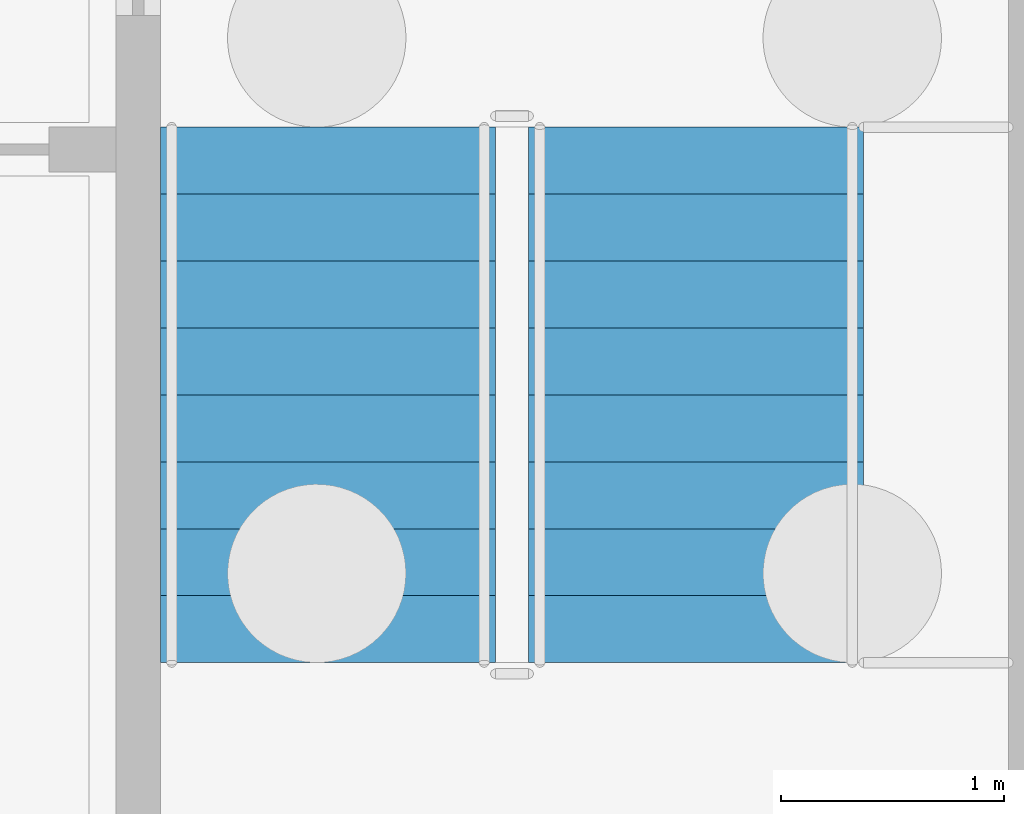
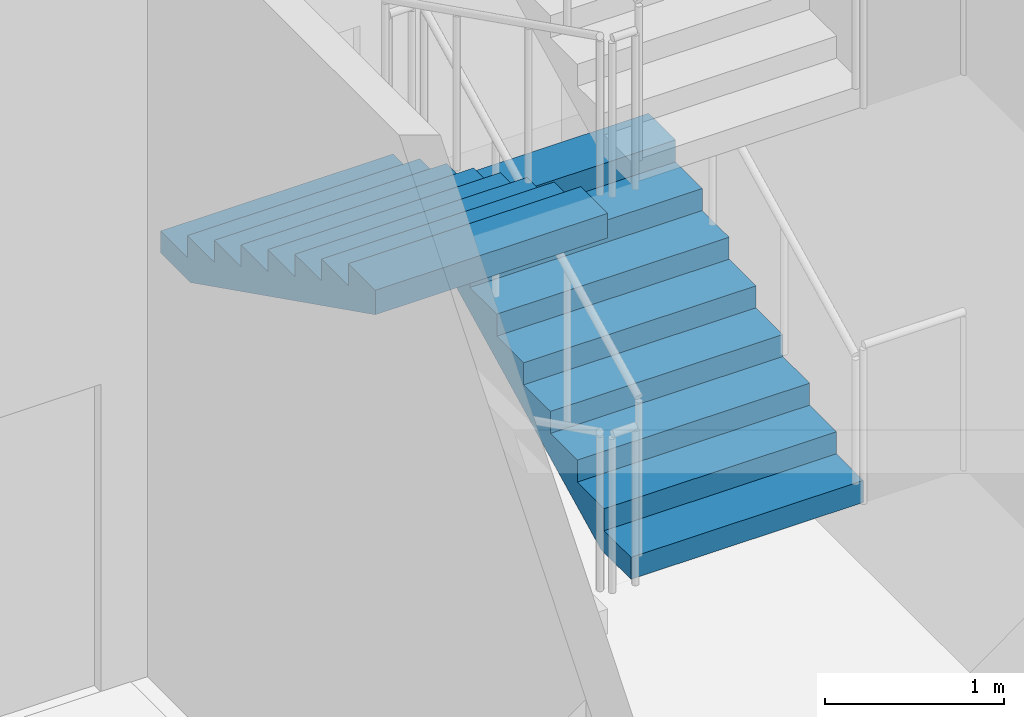
# One storey, part 63 of 129: 2 stair flights, 1 element without a shape of its own.
"""IFC4 building model written with IfcOpenShell, lengths in metres."""

from ifc_helpers import new_model, si_unit, direction, frame, origin, place, context, subcontext, project, spatial, faceted_brep, material, type_object, element, aggregate, save


model = new_model("IFC4")

# Units and contexts
model_context = context("Model", 3, precision=1e-05, world=origin(), true_north=direction((0.0, 1.0)))
body_context = subcontext(model_context, "Body", "Model", "MODEL_VIEW")
ifc_project = project(units=[si_unit("LENGTHUNIT", "METRE"), si_unit("AREAUNIT", "SQUARE_METRE"), si_unit("VOLUMEUNIT", "CUBIC_METRE"), si_unit("PLANEANGLEUNIT", "RADIAN"), si_unit("MASSUNIT", "GRAM", prefix="KILO")], contexts=[model_context])

# Site, building, storey
site_placement = place(None, origin())
site = spatial("IfcSite", under=ifc_project, at=site_placement, CompositionType="ELEMENT")
building_placement = place(site_placement, origin())
building = spatial("IfcBuilding", under=site, at=building_placement, Name="Kiln Court Media Centre", CompositionType="ELEMENT")
storey_placement = place(building_placement, origin())
storey = spatial("IfcBuildingStorey", under=building, at=storey_placement, Name="L00", CompositionType="ELEMENT", Elevation=0.0)

# Stair, stair flights
ifc_material_1 = material(Name="Concrete C40/50", Category="concrete")
stair_type = type_object("IfcStairType", Name="Concrete C40/50 dog-leg stair 1500 wide, 150 riser", PredefinedType="HALF_TURN_STAIR", material=ifc_material_1)
stair_placement = place(storey_placement, origin())
stair = element("IfcStair", 1, at=stair_placement, inside=storey, type_object=stair_type, Name="ST-03 L00", PredefinedType="HALF_TURN_STAIR")
ifc_material_2 = material(Name="Concrete C40/50", Category="concrete")
stair_flight_type = type_object("IfcStairFlightType", Name="Concrete C40/50 stair flight 1500 wide, 150 riser, 300 going", PredefinedType="STRAIGHT", material=ifc_material_2)
stair_flight_1_placement = place(storey_placement, frame((32.0, 3.89990234375, 1.35009765625), z_axis=(0.0, 0.0, 1.0), x_axis=(0.0, 1.0, 0.0)))
stair_flight_1 = element("IfcStairFlight", 2, at=stair_flight_1_placement, type_object=stair_flight_type, Name="L00-ST-5002 flight 5009", NumberOfRisers=9, NumberOfTreads=8, PredefinedType="STRAIGHT", RiserHeight=0.15, TreadLength=0.3, context=body_context, shape_type="Brep", body=[
    faceted_brep([(0.335205078125, -0.75, 0.0), (2.39990234375, -0.75, 1.032470703125), (2.39990234375, -0.75, 1.199951171875), (2.10009765625, -0.75, 1.199951171875), (2.10009765625, -0.75, 1.050048828125), (1.800048828125, -0.75, 1.050048828125), (1.800048828125, -0.75, 0.89990234375), (1.5, -0.75, 0.89990234375), (1.5, -0.75, 0.75), (1.199951171875, -0.75, 0.75), (1.199951171875, -0.75, 0.60009765625), (0.89990234375, -0.75, 0.60009765625), (0.89990234375, -0.75, 0.449951171875), (0.60009765625, -0.75, 0.449951171875), (0.60009765625, -0.75, 0.300048828125), (0.300048828125, -0.75, 0.300048828125), (0.300048828125, -0.75, 0.14990234375), (0.0, -0.75, 0.14990234375), (0.0, -0.75, 0.0), (0.0, 0.75, 0.0), (0.0, 0.75, 0.14990234375), (0.300048828125, 0.75, 0.14990234375), (0.300048828125, 0.75, 0.300048828125), (0.60009765625, 0.75, 0.300048828125), (0.60009765625, 0.75, 0.449951171875), (0.89990234375, 0.75, 0.449951171875), (0.89990234375, 0.75, 0.60009765625), (1.199951171875, 0.75, 0.60009765625), (1.199951171875, 0.75, 0.75), (1.5, 0.75, 0.75), (1.5, 0.75, 0.89990234375), (1.800048828125, 0.75, 0.89990234375), (1.800048828125, 0.75, 1.050048828125), (2.10009765625, 0.75, 1.050048828125), (2.10009765625, 0.75, 1.199951171875), (2.39990234375, 0.75, 1.199951171875), (2.39990234375, 0.75, 1.032470703125), (0.335205078125, 0.75, 0.0), (2.39990234375, 0.10009765625, 1.032470703125), (0.335205078125, 0.10009765625, 0.0), (2.39990234375, 0.080078125, 1.032470703125), (0.335205078125, 0.080078125, 0.0), (2.39990234375, 0.06005859375, 1.032470703125), (0.335205078125, 0.06005859375, 0.0), (2.39990234375, 0.0400390625, 1.032470703125), (0.335205078125, 0.0400390625, 0.0), (2.39990234375, 0.02001953125, 1.032470703125), (0.335205078125, 0.02001953125, 0.0), (2.39990234375, 0.0, 1.032470703125), (0.335205078125, 0.0, 0.0), (2.39990234375, -0.02001953125, 1.032470703125), (0.335205078125, -0.02001953125, 0.0), (2.39990234375, -0.0400390625, 1.032470703125), (0.335205078125, -0.0400390625, 0.0), (2.39990234375, -0.06005859375, 1.032470703125), (0.335205078125, -0.06005859375, 0.0), (2.39990234375, -0.080078125, 1.032470703125), (0.335205078125, -0.080078125, 0.0), (2.39990234375, -0.10009765625, 1.032470703125), (0.335205078125, -0.10009765625, 0.0), (2.39990234375, 0.10009765625, 1.199951171875), (2.39990234375, 0.080078125, 1.199951171875), (2.39990234375, 0.06005859375, 1.199951171875), (2.39990234375, 0.0400390625, 1.199951171875), (2.39990234375, 0.02001953125, 1.199951171875), (2.39990234375, 0.0, 1.199951171875), (2.39990234375, -0.02001953125, 1.199951171875), (2.39990234375, -0.0400390625, 1.199951171875), (2.39990234375, -0.06005859375, 1.199951171875), (2.39990234375, -0.080078125, 1.199951171875), (2.39990234375, -0.10009765625, 1.199951171875), (2.10009765625, 0.10009765625, 1.199951171875), (2.10009765625, 0.080078125, 1.199951171875), (2.10009765625, 0.06005859375, 1.199951171875), (2.10009765625, 0.0400390625, 1.199951171875), (2.10009765625, 0.02001953125, 1.199951171875), (2.10009765625, 0.0, 1.199951171875), (2.10009765625, -0.02001953125, 1.199951171875), (2.10009765625, -0.0400390625, 1.199951171875), (2.10009765625, -0.06005859375, 1.199951171875), (2.10009765625, -0.080078125, 1.199951171875), (2.10009765625, -0.10009765625, 1.199951171875), (2.10009765625, 0.10009765625, 1.050048828125), (2.10009765625, 0.080078125, 1.050048828125), (2.10009765625, 0.06005859375, 1.050048828125), (2.10009765625, 0.0400390625, 1.050048828125), (2.10009765625, 0.02001953125, 1.050048828125), (2.10009765625, 0.0, 1.050048828125), (2.10009765625, -0.02001953125, 1.050048828125), (2.10009765625, -0.0400390625, 1.050048828125), (2.10009765625, -0.06005859375, 1.050048828125), (2.10009765625, -0.080078125, 1.050048828125), (2.10009765625, -0.10009765625, 1.050048828125), (1.800048828125, 0.10009765625, 1.050048828125), (1.800048828125, 0.080078125, 1.050048828125), (1.800048828125, 0.06005859375, 1.050048828125), (1.800048828125, 0.0400390625, 1.050048828125), (1.800048828125, 0.02001953125, 1.050048828125), (1.800048828125, 0.0, 1.050048828125), (1.800048828125, -0.02001953125, 1.050048828125), (1.800048828125, -0.0400390625, 1.050048828125), (1.800048828125, -0.06005859375, 1.050048828125), (1.800048828125, -0.080078125, 1.050048828125), (1.800048828125, -0.10009765625, 1.050048828125), (1.800048828125, 0.10009765625, 0.89990234375), (1.800048828125, 0.080078125, 0.89990234375), (1.800048828125, 0.06005859375, 0.89990234375), (1.800048828125, 0.0400390625, 0.89990234375), (1.800048828125, 0.02001953125, 0.89990234375), (1.800048828125, 0.0, 0.89990234375), (1.800048828125, -0.02001953125, 0.89990234375), (1.800048828125, -0.0400390625, 0.89990234375), (1.800048828125, -0.06005859375, 0.89990234375), (1.800048828125, -0.080078125, 0.89990234375), (1.800048828125, -0.10009765625, 0.89990234375), (1.5, 0.10009765625, 0.89990234375), (1.5, 0.080078125, 0.89990234375), (1.5, 0.06005859375, 0.89990234375), (1.5, 0.0400390625, 0.89990234375), (1.5, 0.02001953125, 0.89990234375), (1.5, 0.0, 0.89990234375), (1.5, -0.02001953125, 0.89990234375), (1.5, -0.0400390625, 0.89990234375), (1.5, -0.06005859375, 0.89990234375), (1.5, -0.080078125, 0.89990234375), (1.5, -0.10009765625, 0.89990234375), (1.5, 0.10009765625, 0.75), (1.5, 0.080078125, 0.75), (1.5, 0.06005859375, 0.75), (1.5, 0.0400390625, 0.75), (1.5, 0.02001953125, 0.75), (1.5, 0.0, 0.75), (1.5, -0.02001953125, 0.75), (1.5, -0.0400390625, 0.75), (1.5, -0.06005859375, 0.75), (1.5, -0.080078125, 0.75), (1.5, -0.10009765625, 0.75), (1.199951171875, 0.10009765625, 0.75), (1.199951171875, 0.080078125, 0.75), (1.199951171875, 0.06005859375, 0.75), (1.199951171875, 0.0400390625, 0.75), (1.199951171875, 0.02001953125, 0.75), (1.199951171875, 0.0, 0.75), (1.199951171875, -0.02001953125, 0.75), (1.199951171875, -0.0400390625, 0.75), (1.199951171875, -0.06005859375, 0.75), (1.199951171875, -0.080078125, 0.75), (1.199951171875, -0.10009765625, 0.75), (1.199951171875, 0.10009765625, 0.60009765625), (1.199951171875, 0.080078125, 0.60009765625), (1.199951171875, 0.06005859375, 0.60009765625), (1.199951171875, 0.0400390625, 0.60009765625), (1.199951171875, 0.02001953125, 0.60009765625), (1.199951171875, 0.0, 0.60009765625), (1.199951171875, -0.02001953125, 0.60009765625), (1.199951171875, -0.0400390625, 0.60009765625), (1.199951171875, -0.06005859375, 0.60009765625), (1.199951171875, -0.080078125, 0.60009765625), (1.199951171875, -0.10009765625, 0.60009765625), (0.89990234375, 0.10009765625, 0.60009765625), (0.89990234375, 0.080078125, 0.60009765625), (0.89990234375, 0.06005859375, 0.60009765625), (0.89990234375, 0.0400390625, 0.60009765625), (0.89990234375, 0.02001953125, 0.60009765625), (0.89990234375, 0.0, 0.60009765625), (0.89990234375, -0.02001953125, 0.60009765625), (0.89990234375, -0.0400390625, 0.60009765625), (0.89990234375, -0.06005859375, 0.60009765625), (0.89990234375, -0.080078125, 0.60009765625), (0.89990234375, -0.10009765625, 0.60009765625), (0.89990234375, 0.10009765625, 0.449951171875), (0.89990234375, 0.080078125, 0.449951171875), (0.89990234375, 0.06005859375, 0.449951171875), (0.89990234375, 0.0400390625, 0.449951171875), (0.89990234375, 0.02001953125, 0.449951171875), (0.89990234375, 0.0, 0.449951171875), (0.89990234375, -0.02001953125, 0.449951171875), (0.89990234375, -0.0400390625, 0.449951171875), (0.89990234375, -0.06005859375, 0.449951171875), (0.89990234375, -0.080078125, 0.449951171875), (0.89990234375, -0.10009765625, 0.449951171875), (0.60009765625, 0.10009765625, 0.449951171875), (0.60009765625, 0.080078125, 0.449951171875), (0.60009765625, 0.06005859375, 0.449951171875), (0.60009765625, 0.0400390625, 0.449951171875), (0.60009765625, 0.02001953125, 0.449951171875), (0.60009765625, 0.0, 0.449951171875), (0.60009765625, -0.02001953125, 0.449951171875), (0.60009765625, -0.0400390625, 0.449951171875), (0.60009765625, -0.06005859375, 0.449951171875), (0.60009765625, -0.080078125, 0.449951171875), (0.60009765625, -0.10009765625, 0.449951171875), (0.60009765625, 0.10009765625, 0.300048828125), (0.60009765625, 0.080078125, 0.300048828125), (0.60009765625, 0.06005859375, 0.300048828125), (0.60009765625, 0.0400390625, 0.300048828125), (0.60009765625, 0.02001953125, 0.300048828125), (0.60009765625, 0.0, 0.300048828125), (0.60009765625, -0.02001953125, 0.300048828125), (0.60009765625, -0.0400390625, 0.300048828125), (0.60009765625, -0.06005859375, 0.300048828125), (0.60009765625, -0.080078125, 0.300048828125), (0.60009765625, -0.10009765625, 0.300048828125), (0.300048828125, 0.10009765625, 0.300048828125), (0.300048828125, 0.080078125, 0.300048828125), (0.300048828125, 0.06005859375, 0.300048828125), (0.300048828125, 0.0400390625, 0.300048828125), (0.300048828125, 0.02001953125, 0.300048828125), (0.300048828125, 0.0, 0.300048828125), (0.300048828125, -0.02001953125, 0.300048828125), (0.300048828125, -0.0400390625, 0.300048828125), (0.300048828125, -0.06005859375, 0.300048828125), (0.300048828125, -0.080078125, 0.300048828125), (0.300048828125, -0.10009765625, 0.300048828125), (0.300048828125, 0.10009765625, 0.14990234375), (0.300048828125, 0.080078125, 0.14990234375), (0.300048828125, 0.06005859375, 0.14990234375), (0.300048828125, 0.0400390625, 0.14990234375), (0.300048828125, 0.02001953125, 0.14990234375), (0.300048828125, 0.0, 0.14990234375), (0.300048828125, -0.02001953125, 0.14990234375), (0.300048828125, -0.0400390625, 0.14990234375), (0.300048828125, -0.06005859375, 0.14990234375), (0.300048828125, -0.080078125, 0.14990234375), (0.300048828125, -0.10009765625, 0.14990234375), (0.0, 0.10009765625, 0.14990234375), (0.0, 0.080078125, 0.14990234375), (0.0, 0.06005859375, 0.14990234375), (0.0, 0.0400390625, 0.14990234375), (0.0, 0.02001953125, 0.14990234375), (0.0, 0.0, 0.14990234375), (0.0, -0.02001953125, 0.14990234375), (0.0, -0.0400390625, 0.14990234375), (0.0, -0.06005859375, 0.14990234375), (0.0, -0.080078125, 0.14990234375), (0.0, -0.10009765625, 0.14990234375), (0.0, 0.10009765625, 0.0), (0.0, 0.080078125, 0.0), (0.0, 0.06005859375, 0.0), (0.0, 0.0400390625, 0.0), (0.0, 0.02001953125, 0.0), (0.0, 0.0, 0.0), (0.0, -0.02001953125, 0.0), (0.0, -0.0400390625, 0.0), (0.0, -0.06005859375, 0.0), (0.0, -0.080078125, 0.0), (0.0, -0.10009765625, 0.0)], [[[0, 1, 2, 3, 4, 5, 6, 7, 8, 9, 10, 11, 12, 13, 14, 15, 16, 17, 18]], [[19, 20, 21, 22, 23, 24, 25, 26, 27, 28, 29, 30, 31, 32, 33, 34, 35, 36, 37]], [[37, 36, 38, 39]], [[39, 38, 40, 41]], [[41, 40, 42, 43]], [[43, 42, 44, 45]], [[45, 44, 46, 47]], [[47, 46, 48, 49]], [[49, 48, 50, 51]], [[51, 50, 52, 53]], [[53, 52, 54, 55]], [[55, 54, 56, 57]], [[57, 56, 58, 59]], [[59, 58, 1, 0]], [[36, 35, 60, 38]], [[38, 60, 61, 40]], [[40, 61, 62, 42]], [[42, 62, 63, 44]], [[44, 63, 64, 46]], [[46, 64, 65, 48]], [[48, 65, 66, 50]], [[50, 66, 67, 52]], [[52, 67, 68, 54]], [[54, 68, 69, 56]], [[56, 69, 70, 58]], [[58, 70, 2, 1]], [[35, 34, 71, 60]], [[60, 71, 72, 61]], [[61, 72, 73, 62]], [[62, 73, 74, 63]], [[63, 74, 75, 64]], [[64, 75, 76, 65]], [[65, 76, 77, 66]], [[66, 77, 78, 67]], [[67, 78, 79, 68]], [[68, 79, 80, 69]], [[69, 80, 81, 70]], [[70, 81, 3, 2]], [[34, 33, 82, 71]], [[71, 82, 83, 72]], [[72, 83, 84, 73]], [[73, 84, 85, 74]], [[74, 85, 86, 75]], [[75, 86, 87, 76]], [[76, 87, 88, 77]], [[77, 88, 89, 78]], [[78, 89, 90, 79]], [[79, 90, 91, 80]], [[80, 91, 92, 81]], [[81, 92, 4, 3]], [[33, 32, 93, 82]], [[82, 93, 94, 83]], [[83, 94, 95, 84]], [[84, 95, 96, 85]], [[85, 96, 97, 86]], [[86, 97, 98, 87]], [[87, 98, 99, 88]], [[88, 99, 100, 89]], [[89, 100, 101, 90]], [[90, 101, 102, 91]], [[91, 102, 103, 92]], [[92, 103, 5, 4]], [[32, 31, 104, 93]], [[93, 104, 105, 94]], [[94, 105, 106, 95]], [[95, 106, 107, 96]], [[96, 107, 108, 97]], [[97, 108, 109, 98]], [[98, 109, 110, 99]], [[99, 110, 111, 100]], [[100, 111, 112, 101]], [[101, 112, 113, 102]], [[102, 113, 114, 103]], [[103, 114, 6, 5]], [[31, 30, 115, 104]], [[104, 115, 116, 105]], [[105, 116, 117, 106]], [[106, 117, 118, 107]], [[107, 118, 119, 108]], [[108, 119, 120, 109]], [[109, 120, 121, 110]], [[110, 121, 122, 111]], [[111, 122, 123, 112]], [[112, 123, 124, 113]], [[113, 124, 125, 114]], [[114, 125, 7, 6]], [[30, 29, 126, 115]], [[115, 126, 127, 116]], [[116, 127, 128, 117]], [[117, 128, 129, 118]], [[118, 129, 130, 119]], [[119, 130, 131, 120]], [[120, 131, 132, 121]], [[121, 132, 133, 122]], [[122, 133, 134, 123]], [[123, 134, 135, 124]], [[124, 135, 136, 125]], [[125, 136, 8, 7]], [[29, 28, 137, 126]], [[126, 137, 138, 127]], [[127, 138, 139, 128]], [[128, 139, 140, 129]], [[129, 140, 141, 130]], [[130, 141, 142, 131]], [[131, 142, 143, 132]], [[132, 143, 144, 133]], [[133, 144, 145, 134]], [[134, 145, 146, 135]], [[135, 146, 147, 136]], [[136, 147, 9, 8]], [[28, 27, 148, 137]], [[137, 148, 149, 138]], [[138, 149, 150, 139]], [[139, 150, 151, 140]], [[140, 151, 152, 141]], [[141, 152, 153, 142]], [[142, 153, 154, 143]], [[143, 154, 155, 144]], [[144, 155, 156, 145]], [[145, 156, 157, 146]], [[146, 157, 158, 147]], [[147, 158, 10, 9]], [[27, 26, 159, 148]], [[148, 159, 160, 149]], [[149, 160, 161, 150]], [[150, 161, 162, 151]], [[151, 162, 163, 152]], [[152, 163, 164, 153]], [[153, 164, 165, 154]], [[154, 165, 166, 155]], [[155, 166, 167, 156]], [[156, 167, 168, 157]], [[157, 168, 169, 158]], [[158, 169, 11, 10]], [[26, 25, 170, 159]], [[159, 170, 171, 160]], [[160, 171, 172, 161]], [[161, 172, 173, 162]], [[162, 173, 174, 163]], [[163, 174, 175, 164]], [[164, 175, 176, 165]], [[165, 176, 177, 166]], [[166, 177, 178, 167]], [[167, 178, 179, 168]], [[168, 179, 180, 169]], [[169, 180, 12, 11]], [[25, 24, 181, 170]], [[170, 181, 182, 171]], [[171, 182, 183, 172]], [[172, 183, 184, 173]], [[173, 184, 185, 174]], [[174, 185, 186, 175]], [[175, 186, 187, 176]], [[176, 187, 188, 177]], [[177, 188, 189, 178]], [[178, 189, 190, 179]], [[179, 190, 191, 180]], [[180, 191, 13, 12]], [[24, 23, 192, 181]], [[181, 192, 193, 182]], [[182, 193, 194, 183]], [[183, 194, 195, 184]], [[184, 195, 196, 185]], [[185, 196, 197, 186]], [[186, 197, 198, 187]], [[187, 198, 199, 188]], [[188, 199, 200, 189]], [[189, 200, 201, 190]], [[190, 201, 202, 191]], [[191, 202, 14, 13]], [[23, 22, 203, 192]], [[192, 203, 204, 193]], [[193, 204, 205, 194]], [[194, 205, 206, 195]], [[195, 206, 207, 196]], [[196, 207, 208, 197]], [[197, 208, 209, 198]], [[198, 209, 210, 199]], [[199, 210, 211, 200]], [[200, 211, 212, 201]], [[201, 212, 213, 202]], [[202, 213, 15, 14]], [[22, 21, 214, 203]], [[203, 214, 215, 204]], [[204, 215, 216, 205]], [[205, 216, 217, 206]], [[206, 217, 218, 207]], [[207, 218, 219, 208]], [[208, 219, 220, 209]], [[209, 220, 221, 210]], [[210, 221, 222, 211]], [[211, 222, 223, 212]], [[212, 223, 224, 213]], [[213, 224, 16, 15]], [[21, 20, 225, 214]], [[214, 225, 226, 215]], [[215, 226, 227, 216]], [[216, 227, 228, 217]], [[217, 228, 229, 218]], [[218, 229, 230, 219]], [[219, 230, 231, 220]], [[220, 231, 232, 221]], [[221, 232, 233, 222]], [[222, 233, 234, 223]], [[223, 234, 235, 224]], [[224, 235, 17, 16]], [[20, 19, 236, 225]], [[225, 236, 237, 226]], [[226, 237, 238, 227]], [[227, 238, 239, 228]], [[228, 239, 240, 229]], [[229, 240, 241, 230]], [[230, 241, 242, 231]], [[231, 242, 243, 232]], [[232, 243, 244, 233]], [[233, 244, 245, 234]], [[234, 245, 246, 235]], [[235, 246, 18, 17]], [[19, 37, 39, 236]], [[236, 39, 41, 237]], [[237, 41, 43, 238]], [[238, 43, 45, 239]], [[239, 45, 47, 240]], [[240, 47, 49, 241]], [[241, 49, 51, 242]], [[242, 51, 53, 243]], [[243, 53, 55, 244]], [[244, 55, 57, 245]], [[245, 57, 59, 246]], [[246, 59, 0, 18]]]),
])
stair_flight_2_placement = place(storey_placement, frame((30.35009765625, 6.300048828125, 2.699951171875), z_axis=(0.0, 0.0, 1.0), x_axis=(0.0, -1.0, 0.0)))
stair_flight_2 = element("IfcStairFlight", 3, at=stair_flight_2_placement, type_object=stair_flight_type, Name="L00-ST-5002 flight 5010", NumberOfRisers=9, NumberOfTreads=8, PredefinedType="STRAIGHT", RiserHeight=0.15, TreadLength=0.3, context=body_context, shape_type="Brep", body=[
    faceted_brep([(0.335205078125, -0.75, 0.0), (2.39990234375, -0.75, 1.032470703125), (2.39990234375, -0.75, 1.199951171875), (2.10009765625, -0.75, 1.199951171875), (2.10009765625, -0.75, 1.050048828125), (1.800048828125, -0.75, 1.050048828125), (1.800048828125, -0.75, 0.89990234375), (1.5, -0.75, 0.89990234375), (1.5, -0.75, 0.75), (1.199951171875, -0.75, 0.75), (1.199951171875, -0.75, 0.60009765625), (0.89990234375, -0.75, 0.60009765625), (0.89990234375, -0.75, 0.449951171875), (0.60009765625, -0.75, 0.449951171875), (0.60009765625, -0.75, 0.300048828125), (0.300048828125, -0.75, 0.300048828125), (0.300048828125, -0.75, 0.14990234375), (0.0, -0.75, 0.14990234375), (0.0, -0.75, 0.0), (0.0, 0.75, 0.0), (0.0, 0.75, 0.14990234375), (0.300048828125, 0.75, 0.14990234375), (0.300048828125, 0.75, 0.300048828125), (0.60009765625, 0.75, 0.300048828125), (0.60009765625, 0.75, 0.449951171875), (0.89990234375, 0.75, 0.449951171875), (0.89990234375, 0.75, 0.60009765625), (1.199951171875, 0.75, 0.60009765625), (1.199951171875, 0.75, 0.75), (1.5, 0.75, 0.75), (1.5, 0.75, 0.89990234375), (1.800048828125, 0.75, 0.89990234375), (1.800048828125, 0.75, 1.050048828125), (2.10009765625, 0.75, 1.050048828125), (2.10009765625, 0.75, 1.199951171875), (2.39990234375, 0.75, 1.199951171875), (2.39990234375, 0.75, 1.032470703125), (0.335205078125, 0.75, 0.0), (2.39990234375, 0.10009765625, 1.032470703125), (0.335205078125, 0.10009765625, 0.0), (2.39990234375, 0.080078125, 1.032470703125), (0.335205078125, 0.080078125, 0.0), (2.39990234375, 0.06005859375, 1.032470703125), (0.335205078125, 0.06005859375, 0.0), (2.39990234375, 0.0400390625, 1.032470703125), (0.335205078125, 0.0400390625, 0.0), (2.39990234375, 0.02001953125, 1.032470703125), (0.335205078125, 0.02001953125, 0.0), (2.39990234375, 0.0, 1.032470703125), (0.335205078125, 0.0, 0.0), (2.39990234375, -0.02001953125, 1.032470703125), (0.335205078125, -0.02001953125, 0.0), (2.39990234375, -0.0400390625, 1.032470703125), (0.335205078125, -0.0400390625, 0.0), (2.39990234375, -0.06005859375, 1.032470703125), (0.335205078125, -0.06005859375, 0.0), (2.39990234375, -0.080078125, 1.032470703125), (0.335205078125, -0.080078125, 0.0), (2.39990234375, -0.10009765625, 1.032470703125), (0.335205078125, -0.10009765625, 0.0), (2.39990234375, 0.10009765625, 1.199951171875), (2.39990234375, 0.080078125, 1.199951171875), (2.39990234375, 0.06005859375, 1.199951171875), (2.39990234375, 0.0400390625, 1.199951171875), (2.39990234375, 0.02001953125, 1.199951171875), (2.39990234375, 0.0, 1.199951171875), (2.39990234375, -0.02001953125, 1.199951171875), (2.39990234375, -0.0400390625, 1.199951171875), (2.39990234375, -0.06005859375, 1.199951171875), (2.39990234375, -0.080078125, 1.199951171875), (2.39990234375, -0.10009765625, 1.199951171875), (2.10009765625, 0.10009765625, 1.199951171875), (2.10009765625, 0.080078125, 1.199951171875), (2.10009765625, 0.06005859375, 1.199951171875), (2.10009765625, 0.0400390625, 1.199951171875), (2.10009765625, 0.02001953125, 1.199951171875), (2.10009765625, 0.0, 1.199951171875), (2.10009765625, -0.02001953125, 1.199951171875), (2.10009765625, -0.0400390625, 1.199951171875), (2.10009765625, -0.06005859375, 1.199951171875), (2.10009765625, -0.080078125, 1.199951171875), (2.10009765625, -0.10009765625, 1.199951171875), (2.10009765625, 0.10009765625, 1.050048828125), (2.10009765625, 0.080078125, 1.050048828125), (2.10009765625, 0.06005859375, 1.050048828125), (2.10009765625, 0.0400390625, 1.050048828125), (2.10009765625, 0.02001953125, 1.050048828125), (2.10009765625, 0.0, 1.050048828125), (2.10009765625, -0.02001953125, 1.050048828125), (2.10009765625, -0.0400390625, 1.050048828125), (2.10009765625, -0.06005859375, 1.050048828125), (2.10009765625, -0.080078125, 1.050048828125), (2.10009765625, -0.10009765625, 1.050048828125), (1.800048828125, 0.10009765625, 1.050048828125), (1.800048828125, 0.080078125, 1.050048828125), (1.800048828125, 0.06005859375, 1.050048828125), (1.800048828125, 0.0400390625, 1.050048828125), (1.800048828125, 0.02001953125, 1.050048828125), (1.800048828125, 0.0, 1.050048828125), (1.800048828125, -0.02001953125, 1.050048828125), (1.800048828125, -0.0400390625, 1.050048828125), (1.800048828125, -0.06005859375, 1.050048828125), (1.800048828125, -0.080078125, 1.050048828125), (1.800048828125, -0.10009765625, 1.050048828125), (1.800048828125, 0.10009765625, 0.89990234375), (1.800048828125, 0.080078125, 0.89990234375), (1.800048828125, 0.06005859375, 0.89990234375), (1.800048828125, 0.0400390625, 0.89990234375), (1.800048828125, 0.02001953125, 0.89990234375), (1.800048828125, 0.0, 0.89990234375), (1.800048828125, -0.02001953125, 0.89990234375), (1.800048828125, -0.0400390625, 0.89990234375), (1.800048828125, -0.06005859375, 0.89990234375), (1.800048828125, -0.080078125, 0.89990234375), (1.800048828125, -0.10009765625, 0.89990234375), (1.5, 0.10009765625, 0.89990234375), (1.5, 0.080078125, 0.89990234375), (1.5, 0.06005859375, 0.89990234375), (1.5, 0.0400390625, 0.89990234375), (1.5, 0.02001953125, 0.89990234375), (1.5, 0.0, 0.89990234375), (1.5, -0.02001953125, 0.89990234375), (1.5, -0.0400390625, 0.89990234375), (1.5, -0.06005859375, 0.89990234375), (1.5, -0.080078125, 0.89990234375), (1.5, -0.10009765625, 0.89990234375), (1.5, 0.10009765625, 0.75), (1.5, 0.080078125, 0.75), (1.5, 0.06005859375, 0.75), (1.5, 0.0400390625, 0.75), (1.5, 0.02001953125, 0.75), (1.5, 0.0, 0.75), (1.5, -0.02001953125, 0.75), (1.5, -0.0400390625, 0.75), (1.5, -0.06005859375, 0.75), (1.5, -0.080078125, 0.75), (1.5, -0.10009765625, 0.75), (1.199951171875, 0.10009765625, 0.75), (1.199951171875, 0.080078125, 0.75), (1.199951171875, 0.06005859375, 0.75), (1.199951171875, 0.0400390625, 0.75), (1.199951171875, 0.02001953125, 0.75), (1.199951171875, 0.0, 0.75), (1.199951171875, -0.02001953125, 0.75), (1.199951171875, -0.0400390625, 0.75), (1.199951171875, -0.06005859375, 0.75), (1.199951171875, -0.080078125, 0.75), (1.199951171875, -0.10009765625, 0.75), (1.199951171875, 0.10009765625, 0.60009765625), (1.199951171875, 0.080078125, 0.60009765625), (1.199951171875, 0.06005859375, 0.60009765625), (1.199951171875, 0.0400390625, 0.60009765625), (1.199951171875, 0.02001953125, 0.60009765625), (1.199951171875, 0.0, 0.60009765625), (1.199951171875, -0.02001953125, 0.60009765625), (1.199951171875, -0.0400390625, 0.60009765625), (1.199951171875, -0.06005859375, 0.60009765625), (1.199951171875, -0.080078125, 0.60009765625), (1.199951171875, -0.10009765625, 0.60009765625), (0.89990234375, 0.10009765625, 0.60009765625), (0.89990234375, 0.080078125, 0.60009765625), (0.89990234375, 0.06005859375, 0.60009765625), (0.89990234375, 0.0400390625, 0.60009765625), (0.89990234375, 0.02001953125, 0.60009765625), (0.89990234375, 0.0, 0.60009765625), (0.89990234375, -0.02001953125, 0.60009765625), (0.89990234375, -0.0400390625, 0.60009765625), (0.89990234375, -0.06005859375, 0.60009765625), (0.89990234375, -0.080078125, 0.60009765625), (0.89990234375, -0.10009765625, 0.60009765625), (0.89990234375, 0.10009765625, 0.449951171875), (0.89990234375, 0.080078125, 0.449951171875), (0.89990234375, 0.06005859375, 0.449951171875), (0.89990234375, 0.0400390625, 0.449951171875), (0.89990234375, 0.02001953125, 0.449951171875), (0.89990234375, 0.0, 0.449951171875), (0.89990234375, -0.02001953125, 0.449951171875), (0.89990234375, -0.0400390625, 0.449951171875), (0.89990234375, -0.06005859375, 0.449951171875), (0.89990234375, -0.080078125, 0.449951171875), (0.89990234375, -0.10009765625, 0.449951171875), (0.60009765625, 0.10009765625, 0.449951171875), (0.60009765625, 0.080078125, 0.449951171875), (0.60009765625, 0.06005859375, 0.449951171875), (0.60009765625, 0.0400390625, 0.449951171875), (0.60009765625, 0.02001953125, 0.449951171875), (0.60009765625, 0.0, 0.449951171875), (0.60009765625, -0.02001953125, 0.449951171875), (0.60009765625, -0.0400390625, 0.449951171875), (0.60009765625, -0.06005859375, 0.449951171875), (0.60009765625, -0.080078125, 0.449951171875), (0.60009765625, -0.10009765625, 0.449951171875), (0.60009765625, 0.10009765625, 0.300048828125), (0.60009765625, 0.080078125, 0.300048828125), (0.60009765625, 0.06005859375, 0.300048828125), (0.60009765625, 0.0400390625, 0.300048828125), (0.60009765625, 0.02001953125, 0.300048828125), (0.60009765625, 0.0, 0.300048828125), (0.60009765625, -0.02001953125, 0.300048828125), (0.60009765625, -0.0400390625, 0.300048828125), (0.60009765625, -0.06005859375, 0.300048828125), (0.60009765625, -0.080078125, 0.300048828125), (0.60009765625, -0.10009765625, 0.300048828125), (0.300048828125, 0.10009765625, 0.300048828125), (0.300048828125, 0.080078125, 0.300048828125), (0.300048828125, 0.06005859375, 0.300048828125), (0.300048828125, 0.0400390625, 0.300048828125), (0.300048828125, 0.02001953125, 0.300048828125), (0.300048828125, 0.0, 0.300048828125), (0.300048828125, -0.02001953125, 0.300048828125), (0.300048828125, -0.0400390625, 0.300048828125), (0.300048828125, -0.06005859375, 0.300048828125), (0.300048828125, -0.080078125, 0.300048828125), (0.300048828125, -0.10009765625, 0.300048828125), (0.300048828125, 0.10009765625, 0.14990234375), (0.300048828125, 0.080078125, 0.14990234375), (0.300048828125, 0.06005859375, 0.14990234375), (0.300048828125, 0.0400390625, 0.14990234375), (0.300048828125, 0.02001953125, 0.14990234375), (0.300048828125, 0.0, 0.14990234375), (0.300048828125, -0.02001953125, 0.14990234375), (0.300048828125, -0.0400390625, 0.14990234375), (0.300048828125, -0.06005859375, 0.14990234375), (0.300048828125, -0.080078125, 0.14990234375), (0.300048828125, -0.10009765625, 0.14990234375), (0.0, 0.10009765625, 0.14990234375), (0.0, 0.080078125, 0.14990234375), (0.0, 0.06005859375, 0.14990234375), (0.0, 0.0400390625, 0.14990234375), (0.0, 0.02001953125, 0.14990234375), (0.0, 0.0, 0.14990234375), (0.0, -0.02001953125, 0.14990234375), (0.0, -0.0400390625, 0.14990234375), (0.0, -0.06005859375, 0.14990234375), (0.0, -0.080078125, 0.14990234375), (0.0, -0.10009765625, 0.14990234375), (0.0, 0.10009765625, 0.0), (0.0, 0.080078125, 0.0), (0.0, 0.06005859375, 0.0), (0.0, 0.0400390625, 0.0), (0.0, 0.02001953125, 0.0), (0.0, 0.0, 0.0), (0.0, -0.02001953125, 0.0), (0.0, -0.0400390625, 0.0), (0.0, -0.06005859375, 0.0), (0.0, -0.080078125, 0.0), (0.0, -0.10009765625, 0.0)], [[[0, 1, 2, 3, 4, 5, 6, 7, 8, 9, 10, 11, 12, 13, 14, 15, 16, 17, 18]], [[19, 20, 21, 22, 23, 24, 25, 26, 27, 28, 29, 30, 31, 32, 33, 34, 35, 36, 37]], [[37, 36, 38, 39]], [[39, 38, 40, 41]], [[41, 40, 42, 43]], [[43, 42, 44, 45]], [[45, 44, 46, 47]], [[47, 46, 48, 49]], [[49, 48, 50, 51]], [[51, 50, 52, 53]], [[53, 52, 54, 55]], [[55, 54, 56, 57]], [[57, 56, 58, 59]], [[59, 58, 1, 0]], [[36, 35, 60, 38]], [[38, 60, 61, 40]], [[40, 61, 62, 42]], [[42, 62, 63, 44]], [[44, 63, 64, 46]], [[46, 64, 65, 48]], [[48, 65, 66, 50]], [[50, 66, 67, 52]], [[52, 67, 68, 54]], [[54, 68, 69, 56]], [[56, 69, 70, 58]], [[58, 70, 2, 1]], [[35, 34, 71, 60]], [[60, 71, 72, 61]], [[61, 72, 73, 62]], [[62, 73, 74, 63]], [[63, 74, 75, 64]], [[64, 75, 76, 65]], [[65, 76, 77, 66]], [[66, 77, 78, 67]], [[67, 78, 79, 68]], [[68, 79, 80, 69]], [[69, 80, 81, 70]], [[70, 81, 3, 2]], [[34, 33, 82, 71]], [[71, 82, 83, 72]], [[72, 83, 84, 73]], [[73, 84, 85, 74]], [[74, 85, 86, 75]], [[75, 86, 87, 76]], [[76, 87, 88, 77]], [[77, 88, 89, 78]], [[78, 89, 90, 79]], [[79, 90, 91, 80]], [[80, 91, 92, 81]], [[81, 92, 4, 3]], [[33, 32, 93, 82]], [[82, 93, 94, 83]], [[83, 94, 95, 84]], [[84, 95, 96, 85]], [[85, 96, 97, 86]], [[86, 97, 98, 87]], [[87, 98, 99, 88]], [[88, 99, 100, 89]], [[89, 100, 101, 90]], [[90, 101, 102, 91]], [[91, 102, 103, 92]], [[92, 103, 5, 4]], [[32, 31, 104, 93]], [[93, 104, 105, 94]], [[94, 105, 106, 95]], [[95, 106, 107, 96]], [[96, 107, 108, 97]], [[97, 108, 109, 98]], [[98, 109, 110, 99]], [[99, 110, 111, 100]], [[100, 111, 112, 101]], [[101, 112, 113, 102]], [[102, 113, 114, 103]], [[103, 114, 6, 5]], [[31, 30, 115, 104]], [[104, 115, 116, 105]], [[105, 116, 117, 106]], [[106, 117, 118, 107]], [[107, 118, 119, 108]], [[108, 119, 120, 109]], [[109, 120, 121, 110]], [[110, 121, 122, 111]], [[111, 122, 123, 112]], [[112, 123, 124, 113]], [[113, 124, 125, 114]], [[114, 125, 7, 6]], [[30, 29, 126, 115]], [[115, 126, 127, 116]], [[116, 127, 128, 117]], [[117, 128, 129, 118]], [[118, 129, 130, 119]], [[119, 130, 131, 120]], [[120, 131, 132, 121]], [[121, 132, 133, 122]], [[122, 133, 134, 123]], [[123, 134, 135, 124]], [[124, 135, 136, 125]], [[125, 136, 8, 7]], [[29, 28, 137, 126]], [[126, 137, 138, 127]], [[127, 138, 139, 128]], [[128, 139, 140, 129]], [[129, 140, 141, 130]], [[130, 141, 142, 131]], [[131, 142, 143, 132]], [[132, 143, 144, 133]], [[133, 144, 145, 134]], [[134, 145, 146, 135]], [[135, 146, 147, 136]], [[136, 147, 9, 8]], [[28, 27, 148, 137]], [[137, 148, 149, 138]], [[138, 149, 150, 139]], [[139, 150, 151, 140]], [[140, 151, 152, 141]], [[141, 152, 153, 142]], [[142, 153, 154, 143]], [[143, 154, 155, 144]], [[144, 155, 156, 145]], [[145, 156, 157, 146]], [[146, 157, 158, 147]], [[147, 158, 10, 9]], [[27, 26, 159, 148]], [[148, 159, 160, 149]], [[149, 160, 161, 150]], [[150, 161, 162, 151]], [[151, 162, 163, 152]], [[152, 163, 164, 153]], [[153, 164, 165, 154]], [[154, 165, 166, 155]], [[155, 166, 167, 156]], [[156, 167, 168, 157]], [[157, 168, 169, 158]], [[158, 169, 11, 10]], [[26, 25, 170, 159]], [[159, 170, 171, 160]], [[160, 171, 172, 161]], [[161, 172, 173, 162]], [[162, 173, 174, 163]], [[163, 174, 175, 164]], [[164, 175, 176, 165]], [[165, 176, 177, 166]], [[166, 177, 178, 167]], [[167, 178, 179, 168]], [[168, 179, 180, 169]], [[169, 180, 12, 11]], [[25, 24, 181, 170]], [[170, 181, 182, 171]], [[171, 182, 183, 172]], [[172, 183, 184, 173]], [[173, 184, 185, 174]], [[174, 185, 186, 175]], [[175, 186, 187, 176]], [[176, 187, 188, 177]], [[177, 188, 189, 178]], [[178, 189, 190, 179]], [[179, 190, 191, 180]], [[180, 191, 13, 12]], [[24, 23, 192, 181]], [[181, 192, 193, 182]], [[182, 193, 194, 183]], [[183, 194, 195, 184]], [[184, 195, 196, 185]], [[185, 196, 197, 186]], [[186, 197, 198, 187]], [[187, 198, 199, 188]], [[188, 199, 200, 189]], [[189, 200, 201, 190]], [[190, 201, 202, 191]], [[191, 202, 14, 13]], [[23, 22, 203, 192]], [[192, 203, 204, 193]], [[193, 204, 205, 194]], [[194, 205, 206, 195]], [[195, 206, 207, 196]], [[196, 207, 208, 197]], [[197, 208, 209, 198]], [[198, 209, 210, 199]], [[199, 210, 211, 200]], [[200, 211, 212, 201]], [[201, 212, 213, 202]], [[202, 213, 15, 14]], [[22, 21, 214, 203]], [[203, 214, 215, 204]], [[204, 215, 216, 205]], [[205, 216, 217, 206]], [[206, 217, 218, 207]], [[207, 218, 219, 208]], [[208, 219, 220, 209]], [[209, 220, 221, 210]], [[210, 221, 222, 211]], [[211, 222, 223, 212]], [[212, 223, 224, 213]], [[213, 224, 16, 15]], [[21, 20, 225, 214]], [[214, 225, 226, 215]], [[215, 226, 227, 216]], [[216, 227, 228, 217]], [[217, 228, 229, 218]], [[218, 229, 230, 219]], [[219, 230, 231, 220]], [[220, 231, 232, 221]], [[221, 232, 233, 222]], [[222, 233, 234, 223]], [[223, 234, 235, 224]], [[224, 235, 17, 16]], [[20, 19, 236, 225]], [[225, 236, 237, 226]], [[226, 237, 238, 227]], [[227, 238, 239, 228]], [[228, 239, 240, 229]], [[229, 240, 241, 230]], [[230, 241, 242, 231]], [[231, 242, 243, 232]], [[232, 243, 244, 233]], [[233, 244, 245, 234]], [[234, 245, 246, 235]], [[235, 246, 18, 17]], [[19, 37, 39, 236]], [[236, 39, 41, 237]], [[237, 41, 43, 238]], [[238, 43, 45, 239]], [[239, 45, 47, 240]], [[240, 47, 49, 241]], [[241, 49, 51, 242]], [[242, 51, 53, 243]], [[243, 53, 55, 244]], [[244, 55, 57, 245]], [[245, 57, 59, 246]], [[246, 59, 0, 18]]]),
])
aggregate(stair, [stair_flight_1, stair_flight_2])

save(model, "model.ifc")
